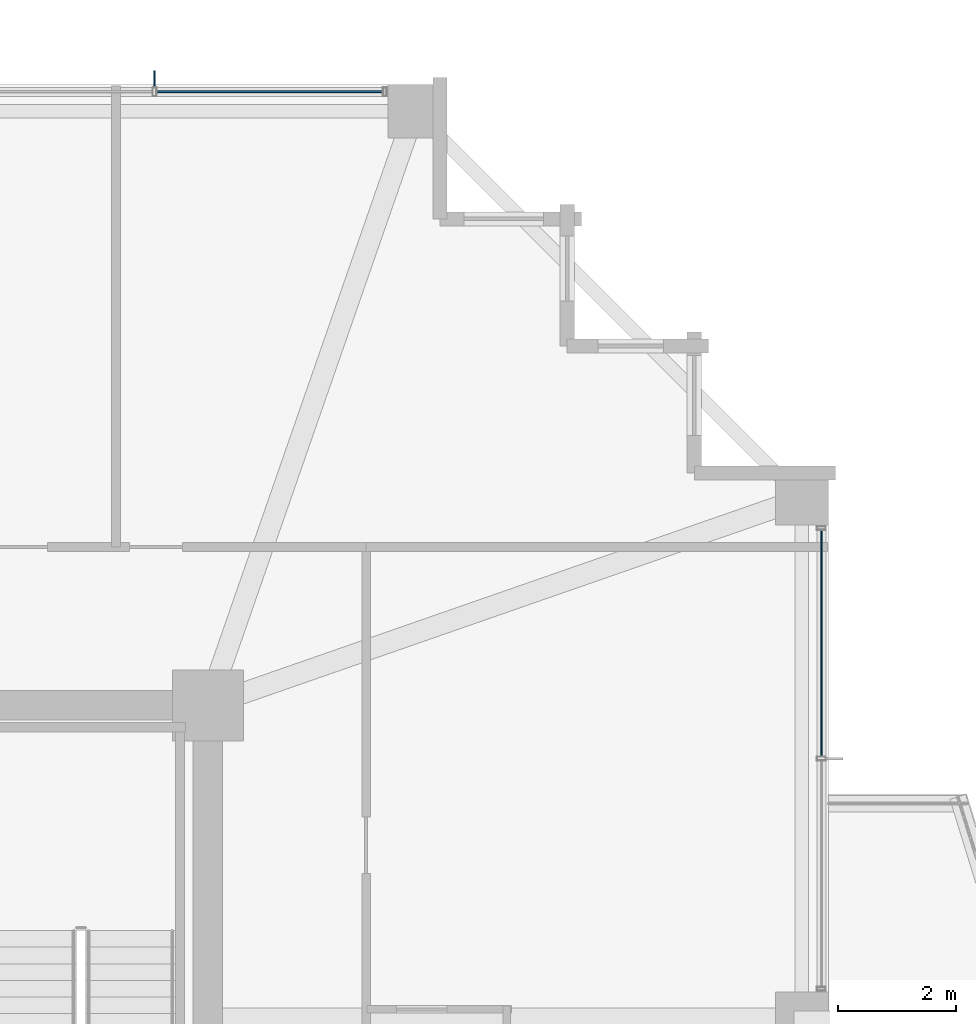
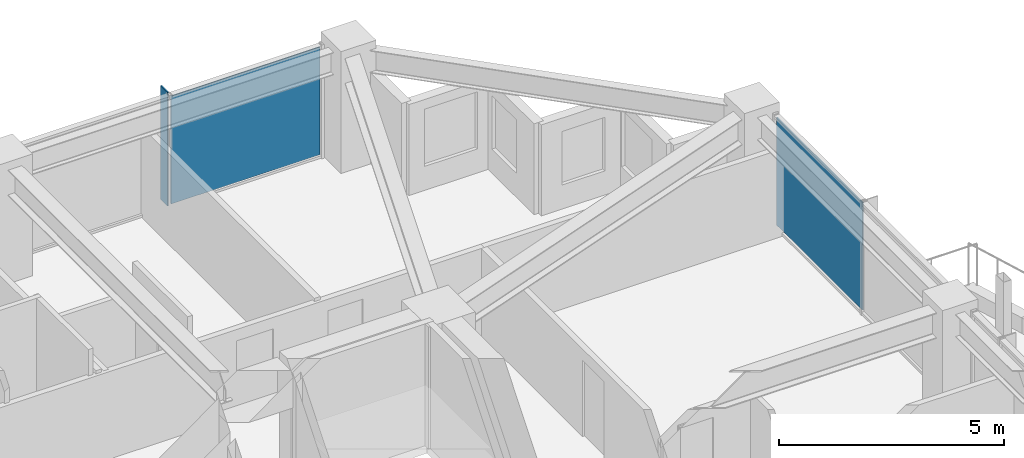
# One storey, part 28 of 35: 3 plates, 2 elements without a shape of their own.
"""IFC4 building model written with IfcOpenShell, lengths in metres."""

import ifcopenshell
import ifcopenshell.guid

model = None  # the IFC model being written
_history = None  # IfcOwnerHistory: only IFC2X3 demands one
_inside = {}  # id of a spatial element -> (the spatial element, [elements in it])
_under = {}  # id of a project, library or spatial element -> (it, [spatial elements below it])
_declared = {}  # id of a project -> (the project, [libraries it declares])
_typed = {}  # id of a type object -> (the type object, [elements of that type])
_made_of = {}  # id of a material, layer set ... -> (it, [elements and type objects made of it])


def new_model(schema):
    """Start an empty IFC model of exactly this schema.

    Asked for "IFC4X3", IfcOpenShell would pick the latest addendum, in which some entities
    have other attributes; the version numbers below select the first issue.
    IFC2X3 requires an IfcOwnerHistory on every rooted entity: one is made here for all.
    """
    global model, _history
    if schema == "IFC4X3":
        model = ifcopenshell.file(schema_version=(4, 3, 0, 0))
    else:
        model = ifcopenshell.file(schema=schema)
    _inside.clear()
    _under.clear()
    _declared.clear()
    _typed.clear()
    _made_of.clear()
    _history = None
    if model.schema == "IFC2X3":
        org = make("IfcOrganization", Name="unknown")
        user = make(
            "IfcPersonAndOrganization",
            ThePerson=make("IfcPerson", FamilyName="unknown"),
            TheOrganization=org,
        )
        app = make(
            "IfcApplication",
            ApplicationDeveloper=org,
            Version="unknown",
            ApplicationFullName="unknown",
            ApplicationIdentifier="unknown",
        )
        _history = make(
            "IfcOwnerHistory",
            OwningUser=user,
            OwningApplication=app,
            ChangeAction="ADDED",
            CreationDate=0,
        )
    return model


def make(cls, **values):
    """One entity of the class cls with the attributes given. An attribute that is None is left unset."""
    return model.create_entity(
        cls, **{name: value for name, value in values.items() if value is not None}
    )


def rooted(cls, **values):
    """An entity with a GlobalId (a new one), such as an element, a storey or a relation."""
    return make(cls, GlobalId=ifcopenshell.guid.new(), OwnerHistory=_history, **values)


def si_unit(unit_type, name, prefix=None):
    """IfcSIUnit, for example si_unit("LENGTHUNIT", "METRE", prefix="MILLI")."""
    return make("IfcSIUnit", UnitType=unit_type, Prefix=prefix, Name=name)


def assignment(units):
    """IfcUnitAssignment: the units of a project."""
    return None if units is None else make("IfcUnitAssignment", Units=units)


def point(xyz):
    """IfcCartesianPoint."""
    return None if xyz is None else make("IfcCartesianPoint", Coordinates=xyz)


def direction(xyz):
    """IfcDirection."""
    return None if xyz is None else make("IfcDirection", DirectionRatios=xyz)


def frame(location, z_axis=None, x_axis=None):
    """IfcAxis2Placement3D, a coordinate frame: its origin and axes. An axis left out is left unset."""
    return make(
        "IfcAxis2Placement3D",
        Location=point(location),
        Axis=direction(z_axis),
        RefDirection=direction(x_axis),
    )


def frame_2d(location, x_axis=None):
    """IfcAxis2Placement2D, a coordinate frame in the plane: its origin and x axis."""
    return make(
        "IfcAxis2Placement2D", Location=point(location), RefDirection=direction(x_axis)
    )


def origin():
    """The frame at (0, 0, 0) with its axes left unset."""
    return frame((0.0, 0.0, 0.0))


def origin_2d():
    """The frame at (0, 0) in the plane with its x axis left unset."""
    return frame_2d((0.0, 0.0))


def place(relative_to, where):
    """IfcLocalPlacement: puts the frame where relative to a parent placement (None: the world)."""
    return make(
        "IfcLocalPlacement", PlacementRelTo=relative_to, RelativePlacement=where
    )


def context(
    kind, dimensions, precision=None, world=None, true_north=None, identifier=None
):
    """IfcGeometricRepresentationContext, for example the 3D "Model" context."""
    return make(
        "IfcGeometricRepresentationContext",
        ContextIdentifier=identifier,
        ContextType=kind,
        CoordinateSpaceDimension=dimensions,
        Precision=precision,
        WorldCoordinateSystem=world,
        TrueNorth=true_north,
    )


def subcontext(parent, identifier, kind, view, scale=None):
    """IfcGeometricRepresentationSubContext, for example "Body" below "Model"."""
    return make(
        "IfcGeometricRepresentationSubContext",
        ContextIdentifier=identifier,
        ContextType=kind,
        ParentContext=parent,
        TargetScale=scale,
        TargetView=view,
    )


def project(units=None, contexts=None):
    """IfcProject with its units and contexts."""
    return rooted(
        "IfcProject",
        Name="project",
        RepresentationContexts=contexts,
        UnitsInContext=assignment(units),
    )


def spatial(cls, under=None, at=None, **own):
    """A site, building, storey or space (cls), placed at a placement, below another one or the project."""
    s = rooted(cls, ObjectPlacement=at, **own)
    if under is not None:
        _under.setdefault(under.id(), (under, []))[1].append(s)
    return s


def profile(cls, at=None, kind="AREA", **sizes):
    """A parametric profile (cls). Its sizes go by their IFC names, for example OverallWidth=200.0."""
    return make(cls, ProfileType=kind, Position=at, **sizes)


def rectangle(**sizes):
    """IfcRectangleProfileDef."""
    return profile("IfcRectangleProfileDef", **sizes)


def extrude(swept, where, along, depth):
    """IfcExtrudedAreaSolid: the profile swept, set in the frame where, extruded along a direction by depth."""
    return make(
        "IfcExtrudedAreaSolid",
        SweptArea=swept,
        Position=where,
        ExtrudedDirection=direction(along),
        Depth=depth,
    )


def shape(context_of_items, identifier, shape_type, items):
    """IfcShapeRepresentation: the items that make up one representation, for example the "Body"."""
    return make(
        "IfcShapeRepresentation",
        ContextOfItems=context_of_items,
        RepresentationIdentifier=identifier,
        RepresentationType=shape_type,
        Items=items,
    )


def material(Name=None, Category=None):
    """IfcMaterial."""
    return make("IfcMaterial", Name=Name, Category=Category)


def layer(
    of_material, thickness, ventilated=None, Name=None, Category=None, Priority=None
):
    """IfcMaterialLayer: one layer of a wall or slab, of a material (None: an air gap)."""
    return make(
        "IfcMaterialLayer",
        Material=of_material,
        LayerThickness=thickness,
        IsVentilated=ventilated,
        Name=Name,
        Category=Category,
        Priority=Priority,
    )


def layer_set(layers, Name=None):
    """IfcMaterialLayerSet."""
    return make("IfcMaterialLayerSet", MaterialLayers=layers, LayerSetName=Name)


def made_of(thing, what):
    """Note that an element or type object is made of a material, layer set ...; save() writes the relation."""
    if what is not None:
        _made_of.setdefault(what.id(), (what, []))[1].append(thing)
    return thing


def type_object(cls, material=None, **own):
    """A type object (cls), such as IfcWallType, which elements share."""
    return made_of(rooted(cls, **own), material)


def element(
    cls,
    number,
    at=None,
    inside=None,
    cuts=None,
    type_object=None,
    material=None,
    context=None,
    identifier="Body",
    shape_type=None,
    held_by="IfcProductDefinitionShape",
    body=None,
    shapes=None,
    **own,
):
    """One element of the class cls, such as IfcWall. Its Tag is "e" and its number.

    at: its placement. inside: the storey or other place that contains it. cuts: it is an
    opening in that element (IfcRelVoidsElement). A single representation is given by context,
    identifier, shape_type and body (its items); several are given by shapes. held_by: the class
    of the entity that holds the representations. save() writes the other relations.
    """
    e = rooted(cls, Tag="e%d" % number, ObjectPlacement=at, **own)
    if body is not None:
        shapes = [shape(context, identifier, shape_type, body)]
    if shapes is not None:
        e.Representation = make(held_by, Representations=shapes)
    if inside is not None:
        _inside.setdefault(inside.id(), (inside, []))[1].append(e)
    if cuts is not None:
        rooted(
            "IfcRelVoidsElement", RelatingBuildingElement=cuts, RelatedOpeningElement=e
        )
    if type_object is not None:
        _typed.setdefault(type_object.id(), (type_object, []))[1].append(e)
    return made_of(e, material)


def aggregate(whole, parts):
    """IfcRelAggregates: a whole, such as a stair, and the parts it consists of."""
    return rooted("IfcRelAggregates", RelatingObject=whole, RelatedObjects=parts)


def save(model, path):
    """Write the relations noted so far, then the file.

    IfcRelAggregates (storeys below a building ...), IfcRelContainedInSpatialStructure (elements
    in a storey), IfcRelDefinesByType, IfcRelAssociatesMaterial and IfcRelDeclares: one each for
    every whole, place, type object, material and project.
    """
    for whole, parts in _under.values():
        aggregate(whole, parts)
    for where, things in _inside.values():
        rooted(
            "IfcRelContainedInSpatialStructure",
            RelatedElements=things,
            RelatingStructure=where,
        )
    for kind, things in _typed.values():
        rooted("IfcRelDefinesByType", RelatedObjects=things, RelatingType=kind)
    for what, things in _made_of.values():
        rooted("IfcRelAssociatesMaterial", RelatedObjects=things, RelatingMaterial=what)
    for by, libraries in _declared.values():
        rooted("IfcRelDeclares", RelatingContext=by, RelatedDefinitions=libraries)
    model.write(path)


model = new_model("IFC4")

# Units and contexts
model_context = context("Model", 3, precision=1e-05, world=origin(), true_north=direction((0.0, 1.0)))
body_context = subcontext(model_context, "Body", "Model", "MODEL_VIEW")
ifc_project = project(units=[si_unit("LENGTHUNIT", "METRE"), si_unit("AREAUNIT", "SQUARE_METRE"), si_unit("VOLUMEUNIT", "CUBIC_METRE"), si_unit("PLANEANGLEUNIT", "RADIAN"), si_unit("MASSUNIT", "GRAM", prefix="KILO")], contexts=[model_context])

# Site, building, storey
site_placement = place(None, origin())
site = spatial("IfcSite", under=ifc_project, at=site_placement, CompositionType="ELEMENT")
building_placement = place(site_placement, origin())
building = spatial("IfcBuilding", under=site, at=building_placement, Name="Kolvaren Belvedere", CompositionType="ELEMENT")
storey_placement = place(building_placement, frame((0.0, 0.0, 176.699951171875)))
storey = spatial("IfcBuildingStorey", under=building, at=storey_placement, Name="L51", CompositionType="ELEMENT", Elevation=176.699951171875)

# Curtain wall, plate
ifc_material_1 = material(Name="Anodised pale-metal aluminium AA 6063-T6", Category="aluminium")
curtain_wall_type = type_object("IfcCurtainWallType", Name="CW-Z5-HIGH", PredefinedType="NOTDEFINED", material=ifc_material_1)
curtain_wall_1_placement = place(storey_placement, origin())
curtain_wall_1 = element("IfcCurtainWall", 1, at=curtain_wall_1_placement, inside=storey, type_object=curtain_wall_type, Name="L51 Unitised Curtain Wall FCW-L51-E1-B1", PredefinedType="NOTDEFINED")
ifc_material_2 = material(Name="Low-iron triple insulated glass", Category="glass")
ifc_layer_1 = layer(ifc_material_2, 0.028076171875)
ifc_layer_set_1 = layer_set([ifc_layer_1], Name="Low-iron triple insulated glass")
plate_type_1 = type_object("IfcPlateType", Name="CW-PNL-VIS28", PredefinedType="CURTAIN_PANEL", material=ifc_layer_set_1)
plate_1_placement = place(storey_placement, frame((20.280029296875, 10.947509765625, 0.080078125), z_axis=(0.0, 0.0, 1.0), x_axis=(0.0, -1.0, 0.0)))
plate_1 = element("IfcPlate", 2, at=plate_1_placement, type_object=plate_type_1, Name="FCW-L51-E1-B1 Vision Glazing Panel 1", PredefinedType="CURTAIN_PANEL", context=body_context, shape_type="SweptSolid", body=[
    extrude(rectangle(XDim=3.81494140625, YDim=0.028076171875, at=origin_2d()), origin(), (0.0, 0.0, 1.0), 2.919921875),
])
aggregate(curtain_wall_1, [plate_1])

curtain_wall_2_placement = place(storey_placement, origin())
curtain_wall_2 = element("IfcCurtainWall", 3, at=curtain_wall_2_placement, inside=storey, type_object=curtain_wall_type, Name="L51 Unitised Curtain Wall FCW-L51-N-B3", PredefinedType="NOTDEFINED")
plate_2_placement = place(storey_placement, frame((10.947509765625, 20.280029296875, 0.080078125), z_axis=(0.0, 0.0, 1.0), x_axis=(1.0, 0.0, 0.0)))
plate_2 = element("IfcPlate", 4, at=plate_2_placement, type_object=plate_type_1, Name="FCW-L51-N-B3 Vision Glazing Panel 2", PredefinedType="CURTAIN_PANEL", context=body_context, shape_type="SweptSolid", body=[
    extrude(rectangle(XDim=3.81494140625, YDim=0.028076171875, at=origin_2d()), origin(), (0.0, 0.0, 1.0), 2.919921875),
])
aggregate(curtain_wall_2, [plate_2])

# Plate
ifc_material_3 = material(Name="Anodised pale-metal aluminium AA 6063-T6", Category="aluminium")
ifc_layer_2 = layer(ifc_material_3, 0.030029296875)
ifc_layer_set_2 = layer_set([ifc_layer_2], Name="Anodised pale-metal aluminium AA 6063-T6")
plate_type_2 = type_object("IfcPlateType", Name="FIN-VERT-300", PredefinedType="USERDEFINED", material=ifc_layer_set_2)
plate_3_placement = place(storey_placement, frame((9.0, 20.489990234375, 0.0), z_axis=(0.0, 0.0, 1.0), x_axis=(0.0, 1.0, 0.0)))
element("IfcPlate", 5, at=plate_3_placement, inside=storey, type_object=plate_type_2, Name="L51 Pale-Metal Vertical Shading Fin FCW-L51-N-B3-1", ObjectType="VERTICAL FIN", PredefinedType="USERDEFINED", context=body_context, shape_type="SweptSolid", body=[
    extrude(rectangle(XDim=0.300048828125, YDim=0.030029296875, at=origin_2d()), origin(), (0.0, 0.0, 1.0), 3.080078125),
])

save(model, "model.ifc")
